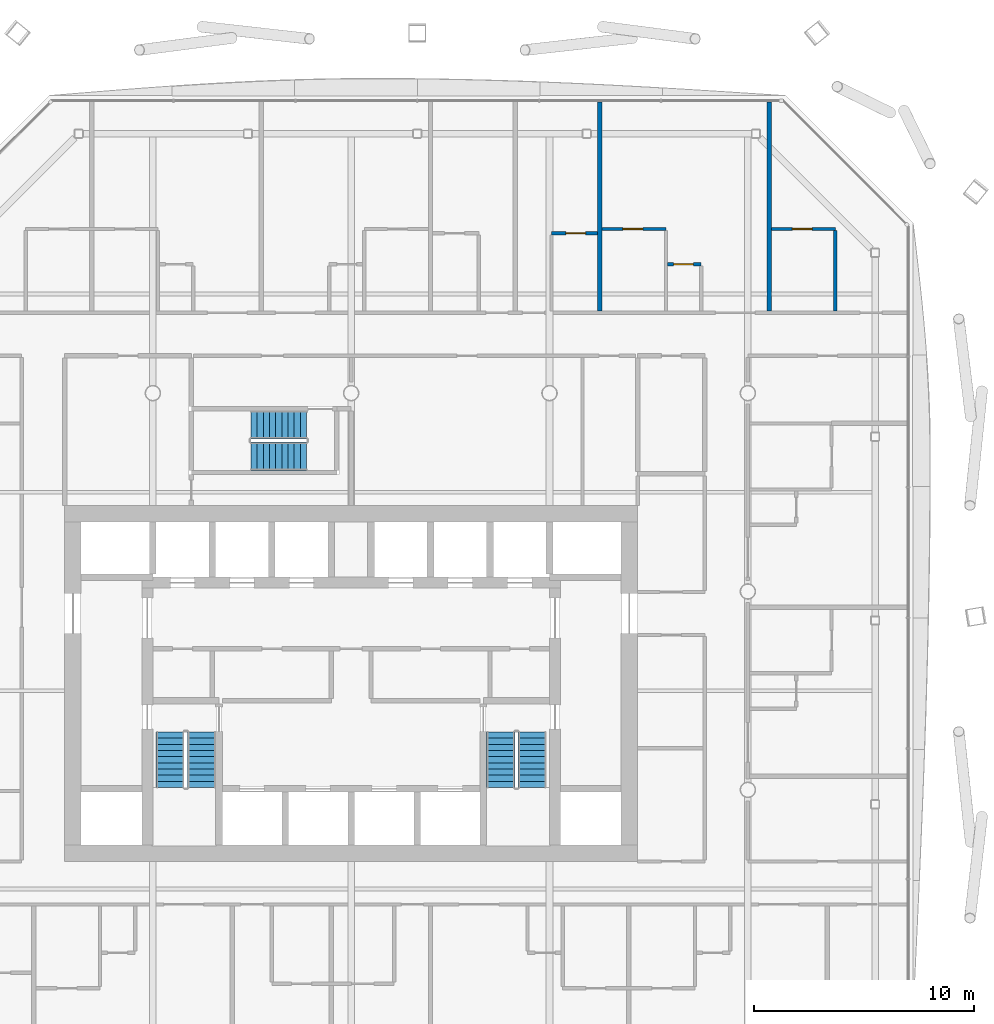
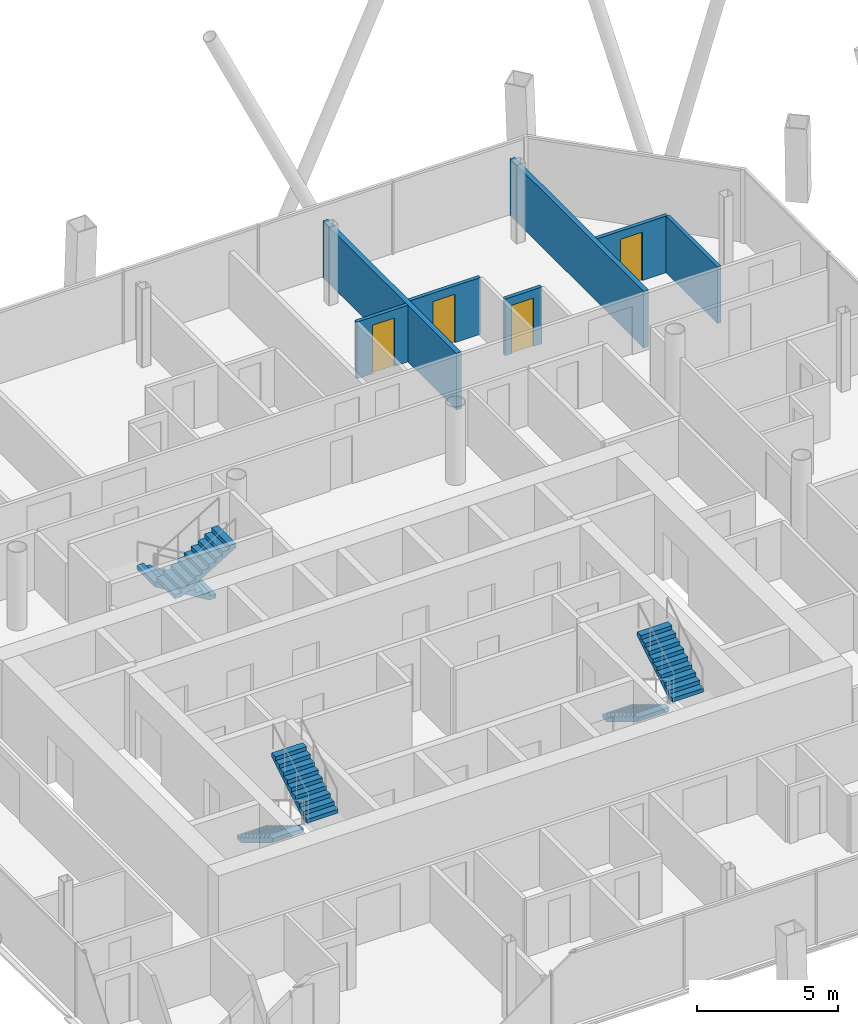
# One storey, part 18 of 23: 7 walls, 6 stair flights, 4 doors, 4 openings, 3 elements without a shape of their own.
"""IFC4 building model written with IfcOpenShell, lengths in metres."""

from ifc_helpers import new_model, si_unit, direction, frame, frame_2d, origin, place, context, subcontext, project, spatial, polyline, rectangle, outline, extrude, material, layer, layer_set, type_object, element, fill, aggregate, save


model = new_model("IFC4")

# Units and contexts
model_context = context("Model", 3, precision=1e-05, world=origin(), true_north=direction((0.0, 1.0)))
body_context = subcontext(model_context, "Body", "Model", "MODEL_VIEW")
ifc_project = project(units=[si_unit("LENGTHUNIT", "METRE"), si_unit("AREAUNIT", "SQUARE_METRE"), si_unit("VOLUMEUNIT", "CUBIC_METRE"), si_unit("PLANEANGLEUNIT", "RADIAN"), si_unit("MASSUNIT", "GRAM", prefix="KILO")], contexts=[model_context])

# Site, building, storey
site_placement = place(None, origin())
site = spatial("IfcSite", under=ifc_project, at=site_placement, CompositionType="ELEMENT")
building_placement = place(site_placement, origin())
building = spatial("IfcBuilding", under=site, at=building_placement, Name="Tskaro Facet Tower", CompositionType="ELEMENT")
storey_placement = place(building_placement, frame((0.0, 0.0, 141.89990234375)))
storey = spatial("IfcBuildingStorey", under=building, at=storey_placement, Name="L34", CompositionType="ELEMENT", Elevation=141.89990234375)

# Wall, opening, door
ifc_material_1 = material(Name="Gypsum board on steel studs", Category="steel")
ifc_layer_1 = layer(ifc_material_1, 0.14990234375, Name="Gypsum board on steel studs")
ifc_layer_set_1 = layer_set([ifc_layer_1], Name="Gypsum board on steel studs")
wall_type_1 = type_object("IfcWallType", Name="PART-CORR", PredefinedType="PARTITIONING", material=ifc_layer_set_1)
wall_1_placement = place(storey_placement, frame((15.884033203125, 14.85009765625, 0.0), z_axis=(0.0, 0.0, 1.0), x_axis=(-1.0, 0.0, 0.0)))
wall_1 = element("IfcWall", 1, at=wall_1_placement, inside=storey, type_object=wall_type_1, Name="Corridor wall W047", PredefinedType="PARTITIONING", context=body_context, shape_type="SweptSolid", body=[
    extrude(rectangle(XDim=1.525146484375, YDim=0.14990234375, at=frame_2d((0.7626953125, 0.0))), origin(), (0.0, 0.0, 1.0), 2.460205078125),
])
opening_1_placement = place(wall_1_placement, frame((0.35009765625, 0.0, 0.0)))
opening_1 = element("IfcOpeningElement", 2, at=opening_1_placement, cuts=wall_1, Name="Opening T10-D58", PredefinedType="OPENING", context=body_context, shape_type="SweptSolid", body=[
    extrude(rectangle(XDim=0.89990234375, YDim=2.10009765625, at=frame_2d((0.449951171875, 1.050048828125))), frame((0.0, 0.0849609375, 0.0), z_axis=(0.0, -1.0, 0.0), x_axis=(1.0, 0.0, 0.0)), (0.0, 0.0, 1.0), 0.169921875),
])
ifc_material_2 = material(Name="Timber", Category="wood")
door_type = type_object("IfcDoorType", Name="D-ROOM", OperationType="NOTDEFINED", PredefinedType="DOOR", material=ifc_material_2)
door_1_placement = place(opening_1_placement, origin())
door_1 = element("IfcDoor", 3, at=door_1_placement, inside=storey, type_object=door_type, Name="Door T10-D58", OperationType="SINGLE_SWING_RIGHT", OverallHeight=2.10009765625, OverallWidth=0.89990234375, PredefinedType="DOOR", context=body_context, shape_type="SweptSolid", body=[
    extrude(rectangle(XDim=0.89990234375, YDim=2.10009765625, at=frame_2d((0.449951171875, 1.050048828125))), frame((0.0, 0.02490234375, 0.0), z_axis=(0.0, -1.0, 0.0), x_axis=(1.0, 0.0, 0.0)), (0.0, 0.0, 1.0), 0.050048828125),
])
fill(opening_1, door_1)

wall_2_placement = place(storey_placement, frame((11.18408203125, 16.25, 0.0), z_axis=(0.0, 0.0, 1.0), x_axis=(-1.0, 0.0, 0.0)))
wall_2 = element("IfcWall", 4, at=wall_2_placement, inside=storey, type_object=wall_type_1, Name="Corridor wall W049", PredefinedType="PARTITIONING", context=body_context, shape_type="SweptSolid", body=[
    extrude(rectangle(XDim=2.090087890625, YDim=0.14990234375, at=frame_2d((1.044921875, 0.0))), origin(), (0.0, 0.0, 1.0), 2.460205078125),
])
opening_2_placement = place(wall_2_placement, frame((0.544921875, 0.0, 0.0)))
opening_2 = element("IfcOpeningElement", 5, at=opening_2_placement, cuts=wall_2, Name="Opening T10-D60", PredefinedType="OPENING", context=body_context, shape_type="SweptSolid", body=[
    extrude(rectangle(XDim=0.89990234375, YDim=2.10009765625, at=frame_2d((0.449951171875, 1.050048828125))), frame((0.0, 0.0849609375, 0.0), z_axis=(0.0, -1.0, 0.0), x_axis=(1.0, 0.0, 0.0)), (0.0, 0.0, 1.0), 0.169921875),
])
door_2_placement = place(opening_2_placement, origin())
door_2 = element("IfcDoor", 6, at=door_2_placement, inside=storey, type_object=door_type, Name="Door T10-D60", OperationType="SINGLE_SWING_RIGHT", OverallHeight=2.10009765625, OverallWidth=0.89990234375, PredefinedType="DOOR", context=body_context, shape_type="SweptSolid", body=[
    extrude(rectangle(XDim=0.89990234375, YDim=2.10009765625, at=frame_2d((0.449951171875, 1.050048828125))), frame((0.0, 0.02490234375, 0.0), z_axis=(0.0, -1.0, 0.0), x_axis=(1.0, 0.0, 0.0)), (0.0, 0.0, 1.0), 0.050048828125),
])
fill(opening_2, door_2)

wall_3_placement = place(storey_placement, frame((14.283935546875, 16.449951171875, 0.0), z_axis=(0.0, 0.0, 1.0), x_axis=(-1.0, 0.0, 0.0)))
wall_3 = element("IfcWall", 7, at=wall_3_placement, inside=storey, type_object=wall_type_1, Name="Corridor wall W052", PredefinedType="PARTITIONING", context=body_context, shape_type="SweptSolid", body=[
    extrude(rectangle(XDim=2.89990234375, YDim=0.14990234375, at=frame_2d((1.449951171875, 0.0))), origin(), (0.0, 0.0, 1.0), 2.460205078125),
])
opening_3_placement = place(wall_3_placement, frame((1.050048828125, 0.0, 0.0)))
opening_3 = element("IfcOpeningElement", 8, at=opening_3_placement, cuts=wall_3, Name="Opening T10-D64", PredefinedType="OPENING", context=body_context, shape_type="SweptSolid", body=[
    extrude(rectangle(XDim=0.89990234375, YDim=2.10009765625, at=frame_2d((0.449951171875, 1.050048828125))), frame((0.0, 0.0849609375, 0.0), z_axis=(0.0, -1.0, 0.0), x_axis=(1.0, 0.0, 0.0)), (0.0, 0.0, 1.0), 0.169921875),
])
door_3_placement = place(opening_3_placement, origin())
door_3 = element("IfcDoor", 9, at=door_3_placement, inside=storey, type_object=door_type, Name="Door T10-D64", OperationType="SINGLE_SWING_RIGHT", OverallHeight=2.10009765625, OverallWidth=0.89990234375, PredefinedType="DOOR", context=body_context, shape_type="SweptSolid", body=[
    extrude(rectangle(XDim=0.89990234375, YDim=2.10009765625, at=frame_2d((0.449951171875, 1.050048828125))), frame((0.0, 0.02490234375, 0.0), z_axis=(0.0, -1.0, 0.0), x_axis=(1.0, 0.0, 0.0)), (0.0, 0.0, 1.0), 0.050048828125),
])
fill(opening_3, door_3)

wall_4_placement = place(storey_placement, frame((21.968017578125, 16.449951171875, 0.0), z_axis=(0.0, 0.0, 1.0), x_axis=(-1.0, 0.0, 0.0)))
wall_4 = element("IfcWall", 10, at=wall_4_placement, inside=storey, type_object=wall_type_1, Name="Corridor wall W053", PredefinedType="PARTITIONING", context=body_context, shape_type="SweptSolid", body=[
    extrude(rectangle(XDim=2.89990234375, YDim=0.14990234375, at=frame_2d((1.449951171875, 0.0))), origin(), (0.0, 0.0, 1.0), 2.460205078125),
])
opening_4_placement = place(wall_4_placement, frame((1.050048828125, 0.0, 0.0)))
opening_4 = element("IfcOpeningElement", 11, at=opening_4_placement, cuts=wall_4, Name="Opening T10-D65", PredefinedType="OPENING", context=body_context, shape_type="SweptSolid", body=[
    extrude(rectangle(XDim=0.89990234375, YDim=2.10009765625, at=frame_2d((0.449951171875, 1.050048828125))), frame((0.0, 0.0849609375, 0.0), z_axis=(0.0, -1.0, 0.0), x_axis=(1.0, 0.0, 0.0)), (0.0, 0.0, 1.0), 0.169921875),
])
door_4_placement = place(opening_4_placement, origin())
door_4 = element("IfcDoor", 12, at=door_4_placement, inside=storey, type_object=door_type, Name="Door T10-D65", OperationType="SINGLE_SWING_RIGHT", OverallHeight=2.10009765625, OverallWidth=0.89990234375, PredefinedType="DOOR", context=body_context, shape_type="SweptSolid", body=[
    extrude(rectangle(XDim=0.89990234375, YDim=2.10009765625, at=frame_2d((0.449951171875, 1.050048828125))), frame((0.0, 0.02490234375, 0.0), z_axis=(0.0, -1.0, 0.0), x_axis=(1.0, 0.0, 0.0)), (0.0, 0.0, 1.0), 0.050048828125),
])
fill(opening_4, door_4)

# Walls
wall_5_placement = place(storey_placement, frame((21.968017578125, 12.72509765625, 0.0), z_axis=(0.0, 0.0, 1.0), x_axis=(0.0, 1.0, 0.0)))
element("IfcWall", 13, at=wall_5_placement, inside=storey, type_object=wall_type_1, Name="Corridor wall W123", PredefinedType="PARTITIONING", context=body_context, shape_type="SweptSolid", body=[
    extrude(rectangle(XDim=3.64990234375, YDim=0.14990234375, at=frame_2d((1.824951171875, 0.0))), origin(), (0.0, 0.0, 1.0), 2.460205078125),
])
ifc_layer_2 = layer(ifc_material_1, 0.199951171875, Name="Gypsum board on steel studs")
ifc_layer_set_2 = layer_set([ifc_layer_2], Name="Gypsum board on steel studs")
wall_type_2 = type_object("IfcWallType", Name="PART-DEMISING", PredefinedType="PARTITIONING", material=ifc_layer_set_2)
for number, where, z_axis, x_axis, name in (
    (14, (11.283935546875, 12.72509765625, 0.0), (0.0, 0.0, 1.0), (0.0, 1.0, 0.0), "Guest room wall W102"),
    (15, (18.968017578125, 12.72509765625, 0.0), (0.0, 0.0, 1.0), (0.0, 1.0, 0.0), "Guest room wall W117"),
):
    element("IfcWall", number, at=place(storey_placement, frame(where, z_axis=z_axis, x_axis=x_axis)), inside=storey, type_object=wall_type_2, Name=name, PredefinedType="PARTITIONING", context=body_context, shape_type="SweptSolid", body=[
        extrude(rectangle(XDim=9.496826171875, YDim=0.199951171875, at=frame_2d((4.74853515625, 0.0))), origin(), (0.0, 0.0, 1.0), 2.460205078125),
    ])

# Stair, stair flights
ifc_material_3 = material(Name="Concrete C40/50", Category="concrete")
stair_type = type_object("IfcStairType", Name="ST-TWR", PredefinedType="HALF_TURN_STAIR", material=ifc_material_3)
stair_1_placement = place(storey_placement, origin())
stair_1 = element("IfcStair", 16, at=stair_1_placement, inside=storey, type_object=stair_type, Name="L34 Exit stair 1", PredefinedType="HALF_TURN_STAIR")
stair_flight_type = type_object("IfcStairFlightType", Name="SFL-RC", PredefinedType="STRAIGHT", material=ifc_material_3)
stair_flight_1_placement = place(storey_placement, frame((-8.21240234375, -6.375, 0.0), z_axis=(0.0, 0.0, 1.0), x_axis=(0.0, -1.0, 0.0)))
stair_flight_1 = element("IfcStairFlight", 17, at=stair_flight_1_placement, type_object=stair_flight_type, Name="ST-1 flight 1", NumberOfRisers=10, NumberOfTreads=9, PredefinedType="STRAIGHT", RiserHeight=0.17, TreadLength=0.28, context=body_context, shape_type="SweptSolid", body=[
    extrude(outline(polyline([(0.0, 0.0), (0.0, 0.169921875), (0.280029296875, 0.169921875), (0.280029296875, 0.340087890625), (0.56005859375, 0.340087890625), (0.56005859375, 0.510009765625), (0.840087890625, 0.510009765625), (0.840087890625, 0.679931640625), (1.1201171875, 0.679931640625), (1.1201171875, 0.85009765625), (1.39990234375, 0.85009765625), (1.39990234375, 1.02001953125), (1.679931640625, 1.02001953125), (1.679931640625, 1.18994140625), (1.9599609375, 1.18994140625), (1.9599609375, 1.360107421875), (2.239990234375, 1.360107421875), (2.239990234375, 1.530029296875), (2.52001953125, 1.530029296875), (2.52001953125, 1.699951171875), (2.52001953125, 1.354736328125), (0.288818359375, 0.0), (0.0, 0.0)])), frame((0.0, 0.637451171875, 0.0), z_axis=(0.0, -1.0, 0.0), x_axis=(1.0, 0.0, 0.0)), (0.0, 0.0, 1.0), 1.27490234375),
])
stair_flight_2_placement = place(storey_placement, frame((-6.78759765625, -8.89501953125, 1.7001953125), z_axis=(0.0, 0.0, 1.0), x_axis=(0.0, 1.0, 0.0)))
stair_flight_2 = element("IfcStairFlight", 18, at=stair_flight_2_placement, type_object=stair_flight_type, Name="ST-1 flight 2", NumberOfRisers=10, NumberOfTreads=9, PredefinedType="STRAIGHT", RiserHeight=0.17, TreadLength=0.28, context=body_context, shape_type="SweptSolid", body=[
    extrude(outline(polyline([(0.0, 0.0), (0.0, 0.169921875), (0.280029296875, 0.169921875), (0.280029296875, 0.340087890625), (0.56005859375, 0.340087890625), (0.56005859375, 0.510009765625), (0.840087890625, 0.510009765625), (0.840087890625, 0.679931640625), (1.1201171875, 0.679931640625), (1.1201171875, 0.85009765625), (1.39990234375, 0.85009765625), (1.39990234375, 1.02001953125), (1.679931640625, 1.02001953125), (1.679931640625, 1.18994140625), (1.9599609375, 1.18994140625), (1.9599609375, 1.360107421875), (2.239990234375, 1.360107421875), (2.239990234375, 1.530029296875), (2.52001953125, 1.530029296875), (2.52001953125, 1.699951171875), (2.52001953125, 1.354736328125), (0.288818359375, 0.0), (0.0, 0.0)])), frame((0.0, 0.637451171875, 0.0), z_axis=(0.0, -1.0, 0.0), x_axis=(1.0, 0.0, 0.0)), (0.0, 0.0, 1.0), 1.27490234375),
])
aggregate(stair_1, [stair_flight_1, stair_flight_2])

stair_2_placement = place(storey_placement, origin())
stair_2 = element("IfcStair", 19, at=stair_2_placement, inside=storey, type_object=stair_type, Name="L34 Exit stair 2", PredefinedType="HALF_TURN_STAIR")
stair_flight_3_placement = place(storey_placement, frame((6.78759765625, -6.375, 0.0), z_axis=(0.0, 0.0, 1.0), x_axis=(0.0, -1.0, 0.0)))
stair_flight_3 = element("IfcStairFlight", 20, at=stair_flight_3_placement, type_object=stair_flight_type, Name="ST-2 flight 1", NumberOfRisers=10, NumberOfTreads=9, PredefinedType="STRAIGHT", RiserHeight=0.17, TreadLength=0.28, context=body_context, shape_type="SweptSolid", body=[
    extrude(outline(polyline([(0.0, 0.0), (0.0, 0.169921875), (0.280029296875, 0.169921875), (0.280029296875, 0.340087890625), (0.56005859375, 0.340087890625), (0.56005859375, 0.510009765625), (0.840087890625, 0.510009765625), (0.840087890625, 0.679931640625), (1.1201171875, 0.679931640625), (1.1201171875, 0.85009765625), (1.39990234375, 0.85009765625), (1.39990234375, 1.02001953125), (1.679931640625, 1.02001953125), (1.679931640625, 1.18994140625), (1.9599609375, 1.18994140625), (1.9599609375, 1.360107421875), (2.239990234375, 1.360107421875), (2.239990234375, 1.530029296875), (2.52001953125, 1.530029296875), (2.52001953125, 1.699951171875), (2.52001953125, 1.354736328125), (0.288818359375, 0.0), (0.0, 0.0)])), frame((0.0, 0.637451171875, 0.0), z_axis=(0.0, -1.0, 0.0), x_axis=(1.0, 0.0, 0.0)), (0.0, 0.0, 1.0), 1.27490234375),
])
stair_flight_4_placement = place(storey_placement, frame((8.21240234375, -8.89501953125, 1.7001953125), z_axis=(0.0, 0.0, 1.0), x_axis=(0.0, 1.0, 0.0)))
stair_flight_4 = element("IfcStairFlight", 21, at=stair_flight_4_placement, type_object=stair_flight_type, Name="ST-2 flight 2", NumberOfRisers=10, NumberOfTreads=9, PredefinedType="STRAIGHT", RiserHeight=0.17, TreadLength=0.28, context=body_context, shape_type="SweptSolid", body=[
    extrude(outline(polyline([(0.0, 0.0), (0.0, 0.169921875), (0.280029296875, 0.169921875), (0.280029296875, 0.340087890625), (0.56005859375, 0.340087890625), (0.56005859375, 0.510009765625), (0.840087890625, 0.510009765625), (0.840087890625, 0.679931640625), (1.1201171875, 0.679931640625), (1.1201171875, 0.85009765625), (1.39990234375, 0.85009765625), (1.39990234375, 1.02001953125), (1.679931640625, 1.02001953125), (1.679931640625, 1.18994140625), (1.9599609375, 1.18994140625), (1.9599609375, 1.360107421875), (2.239990234375, 1.360107421875), (2.239990234375, 1.530029296875), (2.52001953125, 1.530029296875), (2.52001953125, 1.699951171875), (2.52001953125, 1.354736328125), (0.288818359375, 0.0), (0.0, 0.0)])), frame((0.0, 0.637451171875, 0.0), z_axis=(0.0, -1.0, 0.0), x_axis=(1.0, 0.0, 0.0)), (0.0, 0.0, 1.0), 1.27490234375),
])
aggregate(stair_2, [stair_flight_3, stair_flight_4])

stair_3_placement = place(storey_placement, origin())
stair_3 = element("IfcStair", 22, at=stair_3_placement, inside=storey, type_object=stair_type, Name="L34 Exit stair 3", PredefinedType="HALF_TURN_STAIR")
stair_flight_5_placement = place(storey_placement, frame((-2.02490234375, 7.5625, 0.0), z_axis=(0.0, 0.0, 1.0), x_axis=(-1.0, 0.0, 0.0)))
stair_flight_5 = element("IfcStairFlight", 23, at=stair_flight_5_placement, type_object=stair_flight_type, Name="ST-3 flight 1", NumberOfRisers=10, NumberOfTreads=9, PredefinedType="STRAIGHT", RiserHeight=0.17, TreadLength=0.28, context=body_context, shape_type="SweptSolid", body=[
    extrude(outline(polyline([(0.0, 0.0), (0.0, 0.169921875), (0.280029296875, 0.169921875), (0.280029296875, 0.340087890625), (0.56005859375, 0.340087890625), (0.56005859375, 0.510009765625), (0.840087890625, 0.510009765625), (0.840087890625, 0.679931640625), (1.1201171875, 0.679931640625), (1.1201171875, 0.85009765625), (1.39990234375, 0.85009765625), (1.39990234375, 1.02001953125), (1.679931640625, 1.02001953125), (1.679931640625, 1.18994140625), (1.9599609375, 1.18994140625), (1.9599609375, 1.360107421875), (2.239990234375, 1.360107421875), (2.239990234375, 1.530029296875), (2.52001953125, 1.530029296875), (2.52001953125, 1.699951171875), (2.52001953125, 1.354736328125), (0.288818359375, 0.0), (0.0, 0.0)])), frame((0.0, 0.637451171875, 0.0), z_axis=(0.0, -1.0, 0.0), x_axis=(1.0, 0.0, 0.0)), (0.0, 0.0, 1.0), 1.27490234375),
])
stair_flight_6_placement = place(storey_placement, frame((-4.544921875, 6.137451171875, 1.7001953125), z_axis=(0.0, 0.0, 1.0), x_axis=(1.0, 0.0, 0.0)))
stair_flight_6 = element("IfcStairFlight", 24, at=stair_flight_6_placement, type_object=stair_flight_type, Name="ST-3 flight 2", NumberOfRisers=10, NumberOfTreads=9, PredefinedType="STRAIGHT", RiserHeight=0.17, TreadLength=0.28, context=body_context, shape_type="SweptSolid", body=[
    extrude(outline(polyline([(0.0, 0.0), (0.0, 0.169921875), (0.280029296875, 0.169921875), (0.280029296875, 0.340087890625), (0.56005859375, 0.340087890625), (0.56005859375, 0.510009765625), (0.840087890625, 0.510009765625), (0.840087890625, 0.679931640625), (1.1201171875, 0.679931640625), (1.1201171875, 0.85009765625), (1.39990234375, 0.85009765625), (1.39990234375, 1.02001953125), (1.679931640625, 1.02001953125), (1.679931640625, 1.18994140625), (1.9599609375, 1.18994140625), (1.9599609375, 1.360107421875), (2.239990234375, 1.360107421875), (2.239990234375, 1.530029296875), (2.52001953125, 1.530029296875), (2.52001953125, 1.699951171875), (2.52001953125, 1.354736328125), (0.288818359375, 0.0), (0.0, 0.0)])), frame((0.0, 0.637451171875, 0.0), z_axis=(0.0, -1.0, 0.0), x_axis=(1.0, 0.0, 0.0)), (0.0, 0.0, 1.0), 1.27490234375),
])
aggregate(stair_3, [stair_flight_5, stair_flight_6])

save(model, "model.ifc")
